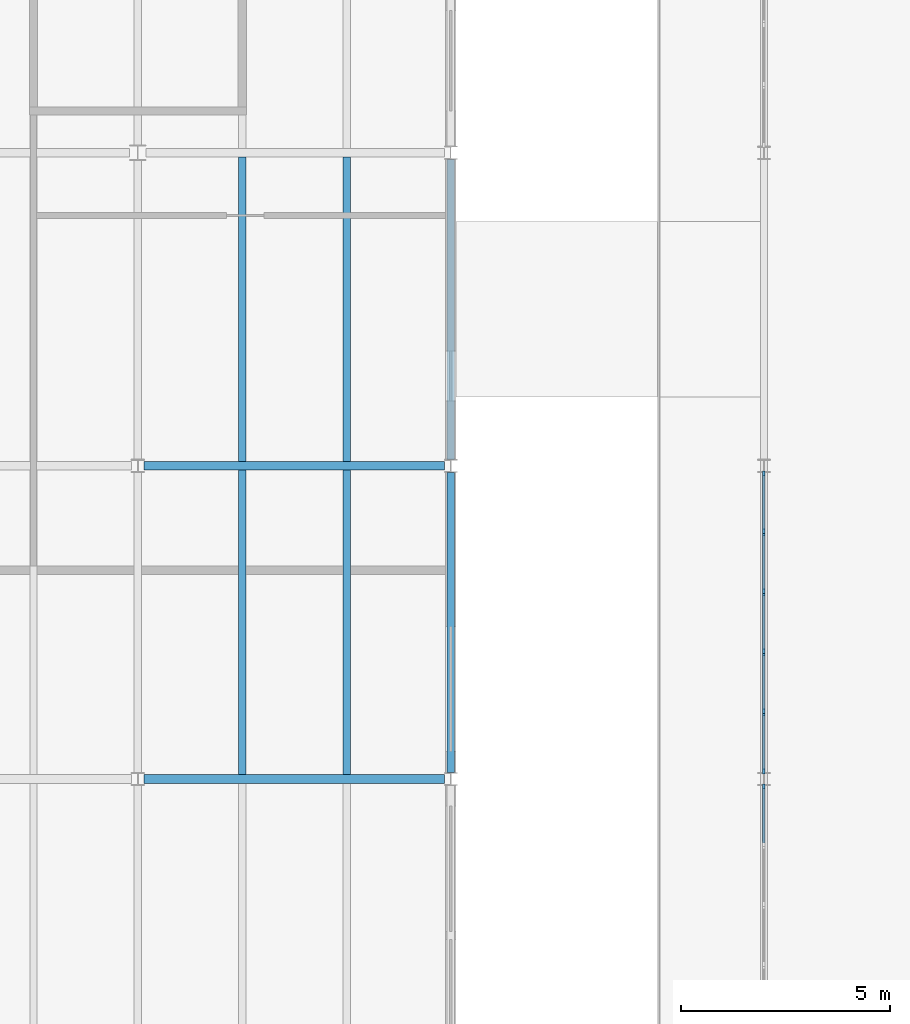
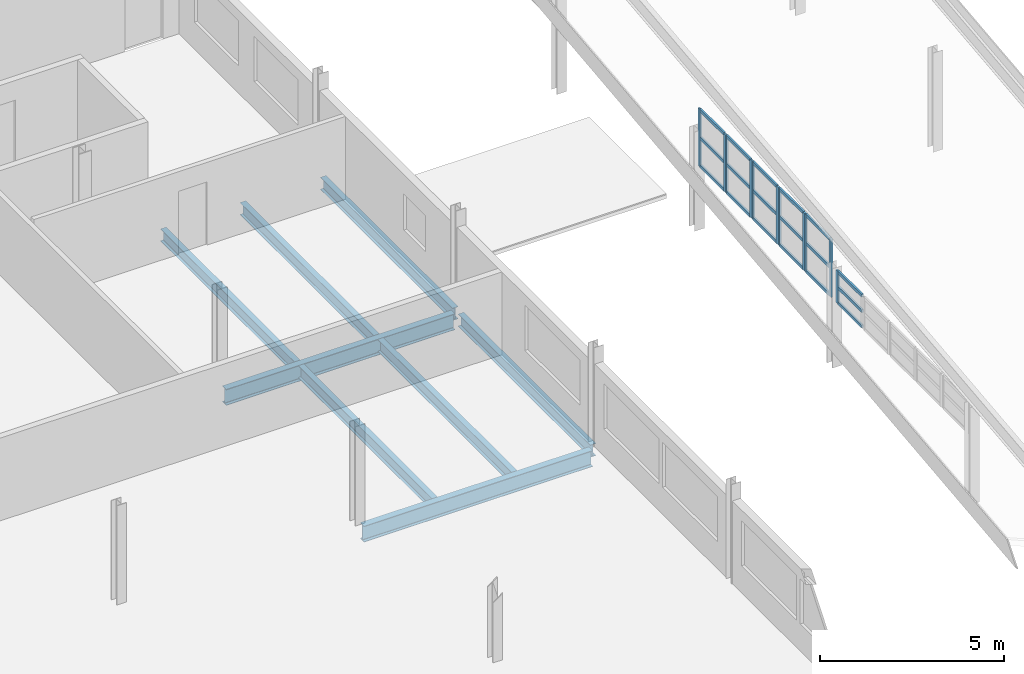
# One storey, part 35 of 199: 29 members, 8 beams, 6 elements without a shape of their own.
"""IFC4 building model written with IfcOpenShell, lengths in metres."""

from ifc_helpers import new_model, si_unit, direction, frame, origin, origin_2d, place, context, subcontext, project, spatial, rectangle, i_section, extrude, material, material_profile, profile_set, type_object, element, aggregate, save


model = new_model("IFC4")

# Units and contexts
model_context = context("Model", 3, precision=1e-05, world=origin(), true_north=direction((0.0, 1.0)))
body_context = subcontext(model_context, "Body", "Model", "MODEL_VIEW")
ifc_project = project(units=[si_unit("LENGTHUNIT", "METRE"), si_unit("AREAUNIT", "SQUARE_METRE"), si_unit("VOLUMEUNIT", "CUBIC_METRE"), si_unit("PLANEANGLEUNIT", "RADIAN"), si_unit("MASSUNIT", "GRAM", prefix="KILO")], contexts=[model_context])

# Site, building, storey
site_placement = place(None, origin())
site = spatial("IfcSite", under=ifc_project, at=site_placement, CompositionType="ELEMENT")
building_placement = place(site_placement, origin())
building = spatial("IfcBuilding", under=site, at=building_placement, Name="Parallax Yard Mobility Hub", CompositionType="ELEMENT")
storey_placement = place(building_placement, frame((0.0, 0.0, 9.89990234375)))
storey = spatial("IfcBuildingStorey", under=building, at=storey_placement, Name="L03", CompositionType="ELEMENT", Elevation=9.89990234375)

# Curtain wall, member
ifc_material_1 = material(Name="Thermally broken aluminium curtain wall system", Category="aluminium")
curtain_wall_type = type_object("IfcCurtainWallType", Name="Clerestory glazing run 60 x 120 frame", PredefinedType="NOTDEFINED", material=ifc_material_1)
curtain_wall_1_placement = place(storey_placement, origin())
curtain_wall_1 = element("IfcCurtainWall", 1, at=curtain_wall_1_placement, inside=storey, type_object=curtain_wall_type, Name="Clerestory glazing run Bicycle and shared-mobility hall west bay 2 level L02", PredefinedType="NOTDEFINED")
ifc_material_2 = material(Name="Extruded aluminium", Category="aluminium")
ifc_material_profile_1 = material_profile(ifc_material_2, rectangle(XDim=0.06005859375, YDim=0.1201171875, at=origin_2d()), Name="Mullion 60 x 120")
ifc_profile_set_1 = profile_set([ifc_material_profile_1], Name="Extruded aluminium")
member_type_1 = type_object("IfcMemberType", Name="Mullion 60 x 120", PredefinedType="MULLION", material=ifc_profile_set_1)
member_1_placement = place(storey_placement, frame((150.0, 22.31640625, 2.140625), z_axis=(0.0, 0.0, 1.0), x_axis=(-1.0, 0.0, 0.0)))
member_1 = element("IfcMember", 2, at=member_1_placement, type_object=member_type_1, Name="CW4 mullion 2", PredefinedType="MULLION", context=body_context, shape_type="SweptSolid", body=[
    extrude(rectangle(XDim=0.06005859375, YDim=0.1201171875, at=origin_2d()), origin(), (0.0, 0.0, 1.0), 1.08447265625),
])

# Curtain wall, members
curtain_wall_2_placement = place(storey_placement, origin())
curtain_wall_2 = element("IfcCurtainWall", 3, at=curtain_wall_2_placement, inside=storey, type_object=curtain_wall_type, Name="Clerestory glazing run Bicycle and shared-mobility hall west bay 3 level L02", PredefinedType="NOTDEFINED")
member_2_placement = place(storey_placement, frame((150.0, 22.68359375, 2.140625), z_axis=(0.0, 0.0, 1.0), x_axis=(-1.0, 0.0, 0.0)))
member_2 = element("IfcMember", 4, at=member_2_placement, type_object=member_type_1, Name="CW4 mullion 1", PredefinedType="MULLION", context=body_context, shape_type="SweptSolid", body=[
    extrude(rectangle(XDim=0.06005859375, YDim=0.1201171875, at=origin_2d()), origin(), (0.0, 0.0, 1.0), 1.912841796875),
])
member_3_placement = place(storey_placement, frame((150.0, 24.06201171875, 2.140625), z_axis=(0.0, 0.0, 1.0), x_axis=(-1.0, 0.0, 0.0)))
member_3 = element("IfcMember", 5, at=member_3_placement, type_object=member_type_1, Name="CW4 mullion 2", PredefinedType="MULLION", context=body_context, shape_type="SweptSolid", body=[
    extrude(rectangle(XDim=0.06005859375, YDim=0.1201171875, at=origin_2d()), origin(), (0.0, 0.0, 1.0), 1.912841796875),
])

curtain_wall_3_placement = place(storey_placement, origin())
curtain_wall_3 = element("IfcCurtainWall", 6, at=curtain_wall_3_placement, inside=storey, type_object=curtain_wall_type, Name="Clerestory glazing run Bicycle and shared-mobility hall west bay 3 level L02", PredefinedType="NOTDEFINED")
member_4_placement = place(storey_placement, frame((150.0, 24.1220703125, 2.140625), z_axis=(0.0, 0.0, 1.0), x_axis=(-1.0, 0.0, 0.0)))
member_4 = element("IfcMember", 7, at=member_4_placement, type_object=member_type_1, Name="CW4 mullion 1", PredefinedType="MULLION", context=body_context, shape_type="SweptSolid", body=[
    extrude(rectangle(XDim=0.06005859375, YDim=0.1201171875, at=origin_2d()), origin(), (0.0, 0.0, 1.0), 1.912841796875),
])
member_5_placement = place(storey_placement, frame((150.0, 25.500732421875, 2.140625), z_axis=(0.0, 0.0, 1.0), x_axis=(-1.0, 0.0, 0.0)))
member_5 = element("IfcMember", 8, at=member_5_placement, type_object=member_type_1, Name="CW4 mullion 2", PredefinedType="MULLION", context=body_context, shape_type="SweptSolid", body=[
    extrude(rectangle(XDim=0.06005859375, YDim=0.1201171875, at=origin_2d()), origin(), (0.0, 0.0, 1.0), 1.912841796875),
])

curtain_wall_4_placement = place(storey_placement, origin())
curtain_wall_4 = element("IfcCurtainWall", 9, at=curtain_wall_4_placement, inside=storey, type_object=curtain_wall_type, Name="Clerestory glazing run Bicycle and shared-mobility hall west bay 3 level L02", PredefinedType="NOTDEFINED")
member_6_placement = place(storey_placement, frame((150.0, 25.560791015625, 2.140625), z_axis=(0.0, 0.0, 1.0), x_axis=(-1.0, 0.0, 0.0)))
member_6 = element("IfcMember", 10, at=member_6_placement, type_object=member_type_1, Name="CW4 mullion 1", PredefinedType="MULLION", context=body_context, shape_type="SweptSolid", body=[
    extrude(rectangle(XDim=0.06005859375, YDim=0.1201171875, at=origin_2d()), origin(), (0.0, 0.0, 1.0), 1.912841796875),
])
member_7_placement = place(storey_placement, frame((150.0, 26.939208984375, 2.140625), z_axis=(0.0, 0.0, 1.0), x_axis=(-1.0, 0.0, 0.0)))
member_7 = element("IfcMember", 11, at=member_7_placement, type_object=member_type_1, Name="CW4 mullion 2", PredefinedType="MULLION", context=body_context, shape_type="SweptSolid", body=[
    extrude(rectangle(XDim=0.06005859375, YDim=0.1201171875, at=origin_2d()), origin(), (0.0, 0.0, 1.0), 1.912841796875),
])

curtain_wall_5_placement = place(storey_placement, origin())
curtain_wall_5 = element("IfcCurtainWall", 12, at=curtain_wall_5_placement, inside=storey, type_object=curtain_wall_type, Name="Clerestory glazing run Bicycle and shared-mobility hall west bay 3 level L02", PredefinedType="NOTDEFINED")
member_8_placement = place(storey_placement, frame((150.0, 26.999267578125, 2.140625), z_axis=(0.0, 0.0, 1.0), x_axis=(-1.0, 0.0, 0.0)))
member_8 = element("IfcMember", 13, at=member_8_placement, type_object=member_type_1, Name="CW4 mullion 1", PredefinedType="MULLION", context=body_context, shape_type="SweptSolid", body=[
    extrude(rectangle(XDim=0.06005859375, YDim=0.1201171875, at=origin_2d()), origin(), (0.0, 0.0, 1.0), 1.912841796875),
])
member_9_placement = place(storey_placement, frame((150.0, 28.3779296875, 2.140625), z_axis=(0.0, 0.0, 1.0), x_axis=(-1.0, 0.0, 0.0)))
member_9 = element("IfcMember", 14, at=member_9_placement, type_object=member_type_1, Name="CW4 mullion 2", PredefinedType="MULLION", context=body_context, shape_type="SweptSolid", body=[
    extrude(rectangle(XDim=0.06005859375, YDim=0.1201171875, at=origin_2d()), origin(), (0.0, 0.0, 1.0), 1.912841796875),
])

curtain_wall_6_placement = place(storey_placement, origin())
curtain_wall_6 = element("IfcCurtainWall", 15, at=curtain_wall_6_placement, inside=storey, type_object=curtain_wall_type, Name="Clerestory glazing run Bicycle and shared-mobility hall west bay 3 level L02", PredefinedType="NOTDEFINED")
member_10_placement = place(storey_placement, frame((150.0, 28.43798828125, 2.140625), z_axis=(0.0, 0.0, 1.0), x_axis=(-1.0, 0.0, 0.0)))
member_10 = element("IfcMember", 16, at=member_10_placement, type_object=member_type_1, Name="CW4 mullion 1", PredefinedType="MULLION", context=body_context, shape_type="SweptSolid", body=[
    extrude(rectangle(XDim=0.06005859375, YDim=0.1201171875, at=origin_2d()), origin(), (0.0, 0.0, 1.0), 1.912841796875),
])
member_11_placement = place(storey_placement, frame((150.0, 29.81640625, 2.140625), z_axis=(0.0, 0.0, 1.0), x_axis=(-1.0, 0.0, 0.0)))
member_11 = element("IfcMember", 17, at=member_11_placement, type_object=member_type_1, Name="CW4 mullion 2", PredefinedType="MULLION", context=body_context, shape_type="SweptSolid", body=[
    extrude(rectangle(XDim=0.06005859375, YDim=0.1201171875, at=origin_2d()), origin(), (0.0, 0.0, 1.0), 1.912841796875),
])

# Member
ifc_material_profile_2 = material_profile(ifc_material_2, rectangle(XDim=0.06005859375, YDim=0.10009765625, at=origin_2d()), Name="Transom 60 x 100")
ifc_profile_set_2 = profile_set([ifc_material_profile_2], Name="Extruded aluminium")
member_type_2 = type_object("IfcMemberType", Name="Transom 60 x 100", PredefinedType="USERDEFINED", material=ifc_profile_set_2)
member_12_placement = place(storey_placement, frame((150.0, 20.968017578125, 2.170654296875), z_axis=(0.0, 1.0, 0.0), x_axis=(-1.0, 0.0, 0.0)))
member_12 = element("IfcMember", 18, at=member_12_placement, type_object=member_type_2, Name="CW4 transom 1.1", ObjectType="TRANSOM", PredefinedType="USERDEFINED", context=body_context, shape_type="SweptSolid", body=[
    extrude(rectangle(XDim=0.06005859375, YDim=0.10009765625, at=origin_2d()), origin(), (0.0, 0.0, 1.0), 1.318603515625),
])

member_13_placement = place(storey_placement, frame((150.0, 20.968017578125, 2.682861328125), z_axis=(0.0, 1.0, 0.0), x_axis=(-1.0, 0.0, 0.0)))
member_13 = element("IfcMember", 19, at=member_13_placement, type_object=member_type_2, Name="CW4 transom 1.2", ObjectType="TRANSOM", PredefinedType="USERDEFINED", context=body_context, shape_type="SweptSolid", body=[
    extrude(rectangle(XDim=0.06005859375, YDim=0.10009765625, at=origin_2d()), origin(), (0.0, 0.0, 1.0), 1.318603515625),
])

member_14_placement = place(storey_placement, frame((150.0, 20.968017578125, 3.195068359375), z_axis=(0.0, 1.0, 0.0), x_axis=(-1.0, 0.0, 0.0)))
member_14 = element("IfcMember", 20, at=member_14_placement, type_object=member_type_2, Name="CW4 transom 1.3", ObjectType="TRANSOM", PredefinedType="USERDEFINED", context=body_context, shape_type="SweptSolid", body=[
    extrude(rectangle(XDim=0.06005859375, YDim=0.10009765625, at=origin_2d()), origin(), (0.0, 0.0, 1.0), 1.318603515625),
])

aggregate(curtain_wall_1, [member_1, member_12, member_13, member_14])

member_15_placement = place(storey_placement, frame((150.0, 22.71337890625, 2.170654296875), z_axis=(0.0, 1.0, 0.0), x_axis=(-1.0, 0.0, 0.0)))
member_15 = element("IfcMember", 21, at=member_15_placement, type_object=member_type_2, Name="CW4 transom 1.1", ObjectType="TRANSOM", PredefinedType="USERDEFINED", context=body_context, shape_type="SweptSolid", body=[
    extrude(rectangle(XDim=0.06005859375, YDim=0.10009765625, at=origin_2d()), origin(), (0.0, 0.0, 1.0), 1.318603515625),
])

member_16_placement = place(storey_placement, frame((150.0, 22.71337890625, 3.096923828125), z_axis=(0.0, 1.0, 0.0), x_axis=(-1.0, 0.0, 0.0)))
member_16 = element("IfcMember", 22, at=member_16_placement, type_object=member_type_2, Name="CW4 transom 1.2", ObjectType="TRANSOM", PredefinedType="USERDEFINED", context=body_context, shape_type="SweptSolid", body=[
    extrude(rectangle(XDim=0.06005859375, YDim=0.10009765625, at=origin_2d()), origin(), (0.0, 0.0, 1.0), 1.318603515625),
])

member_17_placement = place(storey_placement, frame((150.0, 22.71337890625, 4.0234375), z_axis=(0.0, 1.0, 0.0), x_axis=(-1.0, 0.0, 0.0)))
member_17 = element("IfcMember", 23, at=member_17_placement, type_object=member_type_2, Name="CW4 transom 1.3", ObjectType="TRANSOM", PredefinedType="USERDEFINED", context=body_context, shape_type="SweptSolid", body=[
    extrude(rectangle(XDim=0.06005859375, YDim=0.10009765625, at=origin_2d()), origin(), (0.0, 0.0, 1.0), 1.318603515625),
])

aggregate(curtain_wall_2, [member_2, member_3, member_15, member_16, member_17])

member_18_placement = place(storey_placement, frame((150.0, 24.152099609375, 2.170654296875), z_axis=(0.0, 1.0, 0.0), x_axis=(-1.0, 0.0, 0.0)))
member_18 = element("IfcMember", 24, at=member_18_placement, type_object=member_type_2, Name="CW4 transom 1.1", ObjectType="TRANSOM", PredefinedType="USERDEFINED", context=body_context, shape_type="SweptSolid", body=[
    extrude(rectangle(XDim=0.06005859375, YDim=0.10009765625, at=origin_2d()), origin(), (0.0, 0.0, 1.0), 1.318603515625),
])

member_19_placement = place(storey_placement, frame((150.0, 24.152099609375, 3.096923828125), z_axis=(0.0, 1.0, 0.0), x_axis=(-1.0, 0.0, 0.0)))
member_19 = element("IfcMember", 25, at=member_19_placement, type_object=member_type_2, Name="CW4 transom 1.2", ObjectType="TRANSOM", PredefinedType="USERDEFINED", context=body_context, shape_type="SweptSolid", body=[
    extrude(rectangle(XDim=0.06005859375, YDim=0.10009765625, at=origin_2d()), origin(), (0.0, 0.0, 1.0), 1.318603515625),
])

member_20_placement = place(storey_placement, frame((150.0, 24.152099609375, 4.0234375), z_axis=(0.0, 1.0, 0.0), x_axis=(-1.0, 0.0, 0.0)))
member_20 = element("IfcMember", 26, at=member_20_placement, type_object=member_type_2, Name="CW4 transom 1.3", ObjectType="TRANSOM", PredefinedType="USERDEFINED", context=body_context, shape_type="SweptSolid", body=[
    extrude(rectangle(XDim=0.06005859375, YDim=0.10009765625, at=origin_2d()), origin(), (0.0, 0.0, 1.0), 1.318603515625),
])

aggregate(curtain_wall_3, [member_4, member_5, member_18, member_19, member_20])

member_21_placement = place(storey_placement, frame((150.0, 25.5908203125, 2.170654296875), z_axis=(0.0, 1.0, 0.0), x_axis=(-1.0, 0.0, 0.0)))
member_21 = element("IfcMember", 27, at=member_21_placement, type_object=member_type_2, Name="CW4 transom 1.1", ObjectType="TRANSOM", PredefinedType="USERDEFINED", context=body_context, shape_type="SweptSolid", body=[
    extrude(rectangle(XDim=0.06005859375, YDim=0.10009765625, at=origin_2d()), origin(), (0.0, 0.0, 1.0), 1.318359375),
])

member_22_placement = place(storey_placement, frame((150.0, 25.5908203125, 3.096923828125), z_axis=(0.0, 1.0, 0.0), x_axis=(-1.0, 0.0, 0.0)))
member_22 = element("IfcMember", 28, at=member_22_placement, type_object=member_type_2, Name="CW4 transom 1.2", ObjectType="TRANSOM", PredefinedType="USERDEFINED", context=body_context, shape_type="SweptSolid", body=[
    extrude(rectangle(XDim=0.06005859375, YDim=0.10009765625, at=origin_2d()), origin(), (0.0, 0.0, 1.0), 1.318359375),
])

member_23_placement = place(storey_placement, frame((150.0, 25.5908203125, 4.0234375), z_axis=(0.0, 1.0, 0.0), x_axis=(-1.0, 0.0, 0.0)))
member_23 = element("IfcMember", 29, at=member_23_placement, type_object=member_type_2, Name="CW4 transom 1.3", ObjectType="TRANSOM", PredefinedType="USERDEFINED", context=body_context, shape_type="SweptSolid", body=[
    extrude(rectangle(XDim=0.06005859375, YDim=0.10009765625, at=origin_2d()), origin(), (0.0, 0.0, 1.0), 1.318359375),
])

aggregate(curtain_wall_4, [member_6, member_7, member_21, member_22, member_23])

member_24_placement = place(storey_placement, frame((150.0, 27.029296875, 2.170654296875), z_axis=(0.0, 1.0, 0.0), x_axis=(-1.0, 0.0, 0.0)))
member_24 = element("IfcMember", 30, at=member_24_placement, type_object=member_type_2, Name="CW4 transom 1.1", ObjectType="TRANSOM", PredefinedType="USERDEFINED", context=body_context, shape_type="SweptSolid", body=[
    extrude(rectangle(XDim=0.06005859375, YDim=0.10009765625, at=origin_2d()), origin(), (0.0, 0.0, 1.0), 1.318603515625),
])

member_25_placement = place(storey_placement, frame((150.0, 27.029296875, 3.096923828125), z_axis=(0.0, 1.0, 0.0), x_axis=(-1.0, 0.0, 0.0)))
member_25 = element("IfcMember", 31, at=member_25_placement, type_object=member_type_2, Name="CW4 transom 1.2", ObjectType="TRANSOM", PredefinedType="USERDEFINED", context=body_context, shape_type="SweptSolid", body=[
    extrude(rectangle(XDim=0.06005859375, YDim=0.10009765625, at=origin_2d()), origin(), (0.0, 0.0, 1.0), 1.318603515625),
])

member_26_placement = place(storey_placement, frame((150.0, 27.029296875, 4.0234375), z_axis=(0.0, 1.0, 0.0), x_axis=(-1.0, 0.0, 0.0)))
member_26 = element("IfcMember", 32, at=member_26_placement, type_object=member_type_2, Name="CW4 transom 1.3", ObjectType="TRANSOM", PredefinedType="USERDEFINED", context=body_context, shape_type="SweptSolid", body=[
    extrude(rectangle(XDim=0.06005859375, YDim=0.10009765625, at=origin_2d()), origin(), (0.0, 0.0, 1.0), 1.318603515625),
])

aggregate(curtain_wall_5, [member_8, member_9, member_24, member_25, member_26])

member_27_placement = place(storey_placement, frame((150.0, 28.468017578125, 2.170654296875), z_axis=(0.0, 1.0, 0.0), x_axis=(-1.0, 0.0, 0.0)))
member_27 = element("IfcMember", 33, at=member_27_placement, type_object=member_type_2, Name="CW4 transom 1.1", ObjectType="TRANSOM", PredefinedType="USERDEFINED", context=body_context, shape_type="SweptSolid", body=[
    extrude(rectangle(XDim=0.06005859375, YDim=0.10009765625, at=origin_2d()), origin(), (0.0, 0.0, 1.0), 1.318603515625),
])

member_28_placement = place(storey_placement, frame((150.0, 28.468017578125, 3.096923828125), z_axis=(0.0, 1.0, 0.0), x_axis=(-1.0, 0.0, 0.0)))
member_28 = element("IfcMember", 34, at=member_28_placement, type_object=member_type_2, Name="CW4 transom 1.2", ObjectType="TRANSOM", PredefinedType="USERDEFINED", context=body_context, shape_type="SweptSolid", body=[
    extrude(rectangle(XDim=0.06005859375, YDim=0.10009765625, at=origin_2d()), origin(), (0.0, 0.0, 1.0), 1.318603515625),
])

member_29_placement = place(storey_placement, frame((150.0, 28.468017578125, 4.0234375), z_axis=(0.0, 1.0, 0.0), x_axis=(-1.0, 0.0, 0.0)))
member_29 = element("IfcMember", 35, at=member_29_placement, type_object=member_type_2, Name="CW4 transom 1.3", ObjectType="TRANSOM", PredefinedType="USERDEFINED", context=body_context, shape_type="SweptSolid", body=[
    extrude(rectangle(XDim=0.06005859375, YDim=0.10009765625, at=origin_2d()), origin(), (0.0, 0.0, 1.0), 1.318603515625),
])

aggregate(curtain_wall_6, [member_10, member_11, member_27, member_28, member_29])

# Beams
ifc_material_3 = material(Name="Steel ASTM A992", Category="steel")
ifc_material_profile_3 = material_profile(ifc_material_3, i_section(OverallWidth=0.177978515625, OverallDepth=0.406005859375, WebThickness=0.0078125, FlangeThickness=0.0126953125, FilletRadius=0.01025390625, at=origin_2d()), Name="W410x60")
ifc_profile_set_3 = profile_set([ifc_material_profile_3], Name="Steel ASTM A992")
beam_type_1 = type_object("IfcBeamType", Name="W410x60 secondary beam", PredefinedType="JOIST", material=ifc_profile_set_3)
for number, where, z_axis, x_axis, name in (
    (36, (137.5, 22.6044921875, -0.343017578125), (0.0, 1.0, 0.0), (-1.0, 0.0, 0.0), "Secondary beam B1 level L03, 2.5 m east of line 19 of mobility service centre and workshops, span 3"),
    (37, (137.5, 30.1044921875, -0.343017578125), (0.0, 1.0, 0.0), (-1.0, 0.0, 0.0), "Secondary beam B1 level L03, 2.5 m east of line 19 of mobility service centre and workshops, span 4"),
    (38, (140.0, 22.6044921875, -0.343017578125), (0.0, 1.0, 0.0), (-1.0, 0.0, 0.0), "Secondary beam B1 level L03, 5 m east of line 19 of mobility service centre and workshops, span 3"),
    (39, (140.0, 30.1044921875, -0.343017578125), (0.0, 1.0, 0.0), (-1.0, 0.0, 0.0), "Secondary beam B1 level L03, 5 m east of line 19 of mobility service centre and workshops, span 4"),
):
    element("IfcBeam", number, at=place(storey_placement, frame(where, z_axis=z_axis, x_axis=x_axis)), inside=storey, type_object=beam_type_1, Name=name, PredefinedType="JOIST", context=body_context, shape_type="SweptSolid", body=[
        extrude(i_section(OverallWidth=0.177978515625, OverallDepth=0.406005859375, WebThickness=0.0078125, FlangeThickness=0.0126953125, FilletRadius=0.01025390625, at=origin_2d()), origin(), (0.0, 0.0, 1.0), 7.291015625),
    ])
ifc_material_profile_4 = material_profile(ifc_material_3, i_section(OverallWidth=0.178955078125, OverallDepth=0.408935546875, WebThickness=0.0087890625, FlangeThickness=0.014404296875, FilletRadius=0.01025390625, at=origin_2d()), Name="W410x67")
ifc_profile_set_4 = profile_set([ifc_material_profile_4], Name="Steel ASTM A992")
beam_type_2 = type_object("IfcBeamType", Name="W410x67 edge beam", PredefinedType="SPANDREL", material=ifc_profile_set_4)
beam_1_placement = place(storey_placement, frame((142.5, 22.653564453125, -0.344482421875), z_axis=(0.0, 1.0, 0.0), x_axis=(-1.0, 0.0, 0.0)))
element("IfcBeam", 40, at=beam_1_placement, inside=storey, type_object=beam_type_2, Name="Edge beam SB3 level L03, line 20 of mobility service centre and workshops, span 3", PredefinedType="SPANDREL", context=body_context, shape_type="SweptSolid", body=[
    extrude(i_section(OverallWidth=0.178955078125, OverallDepth=0.408935546875, WebThickness=0.0087890625, FlangeThickness=0.014404296875, FilletRadius=0.01025390625, at=origin_2d()), origin(), (0.0, 0.0, 1.0), 7.19287109375),
])
beam_2_placement = place(storey_placement, frame((142.5, 30.153564453125, -0.344482421875), z_axis=(0.0, 1.0, 0.0), x_axis=(-1.0, 0.0, 0.0)))
element("IfcBeam", 41, at=beam_2_placement, inside=storey, type_object=beam_type_2, Name="Edge beam SB3 level L03, line 20 of mobility service centre and workshops, span 4", PredefinedType="SPANDREL", context=body_context, shape_type="SweptSolid", body=[
    extrude(i_section(OverallWidth=0.178955078125, OverallDepth=0.408935546875, WebThickness=0.0087890625, FlangeThickness=0.014404296875, FilletRadius=0.01025390625, at=origin_2d()), origin(), (0.0, 0.0, 1.0), 7.1875),
])
ifc_material_profile_5 = material_profile(ifc_material_3, i_section(OverallWidth=0.208984375, OverallDepth=0.532958984375, WebThickness=0.01025390625, FlangeThickness=0.015625, FilletRadius=0.0126953125, at=origin_2d()), Name="W530x92")
ifc_profile_set_5 = profile_set([ifc_material_profile_5], Name="Steel ASTM A992")
beam_type_3 = type_object("IfcBeamType", Name="W530x92 longitudinal beam", PredefinedType="BEAM", material=ifc_profile_set_5)
for number, where, z_axis, x_axis, name in (
    (42, (135.152587890625, 22.5, -0.406494140625), (1.0, 0.0, 0.0), (0.0, 1.0, 0.0), "Longitudinal beam SB6 level L03, line D of mobility service centre and workshops, span 6"),
    (43, (135.152587890625, 30.0, -0.406494140625), (1.0, 0.0, 0.0), (0.0, 1.0, 0.0), "Longitudinal beam SB6 level L03, line E of mobility service centre and workshops, span 6"),
):
    element("IfcBeam", number, at=place(storey_placement, frame(where, z_axis=z_axis, x_axis=x_axis)), inside=storey, type_object=beam_type_3, Name=name, PredefinedType="BEAM", context=body_context, shape_type="SweptSolid", body=[
        extrude(i_section(OverallWidth=0.208984375, OverallDepth=0.532958984375, WebThickness=0.01025390625, FlangeThickness=0.015625, FilletRadius=0.0126953125, at=origin_2d()), origin(), (0.0, 0.0, 1.0), 7.19482421875),
    ])

save(model, "model.ifc")
